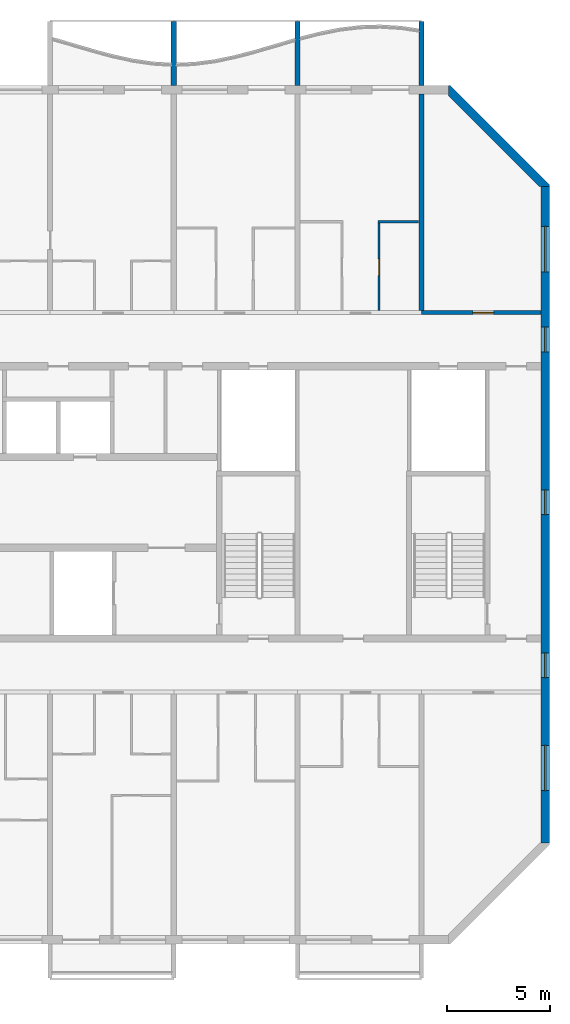
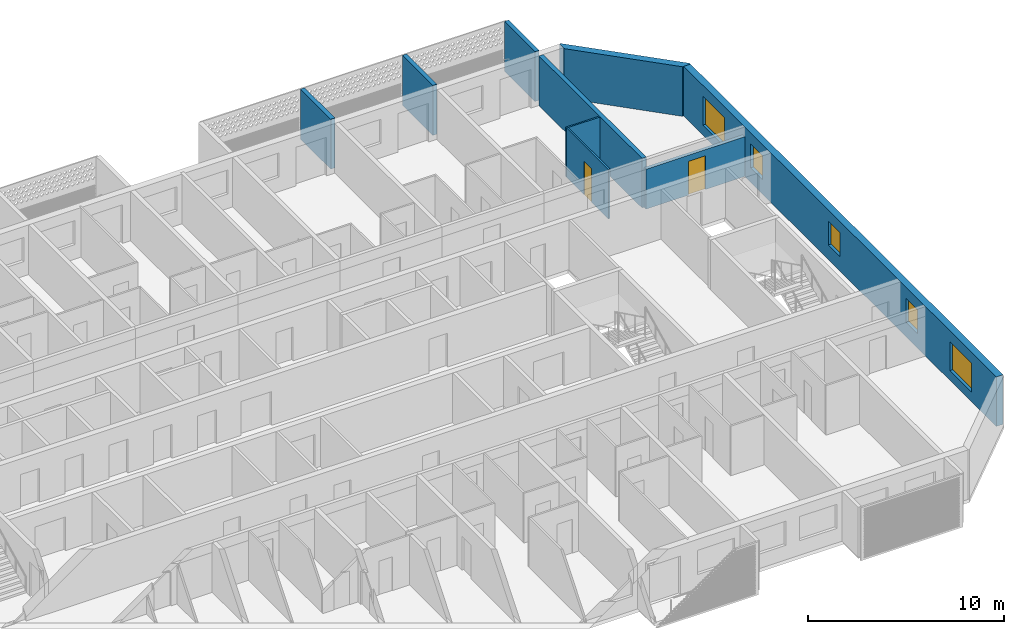
# One storey, part 11 of 26: 9 walls, 5 windows, 2 doors, 7 openings.
"""IFC4 building model written with IfcOpenShell, lengths in metres."""

from ifc_helpers import new_model, si_unit, direction, frame, frame_2d, origin, place, context, subcontext, project, spatial, polyline, rectangle, outline, extrude, source, transform, mapped, material, layer, layer_set, type_object, element, fill, save


model = new_model("IFC4")

# Units and contexts
model_context = context("Model", 3, precision=1e-05, world=origin(), true_north=direction((0.0, 1.0)))
body_context = subcontext(model_context, "Body", "Model", "MODEL_VIEW")
ifc_project = project(units=[si_unit("LENGTHUNIT", "METRE"), si_unit("AREAUNIT", "SQUARE_METRE"), si_unit("VOLUMEUNIT", "CUBIC_METRE"), si_unit("PLANEANGLEUNIT", "RADIAN"), si_unit("MASSUNIT", "GRAM", prefix="KILO")], contexts=[model_context])

# Site, building, storey
site_placement = place(None, origin())
site = spatial("IfcSite", under=ifc_project, at=site_placement, CompositionType="ELEMENT")
building_placement = place(site_placement, origin())
building = spatial("IfcBuilding", under=site, at=building_placement, Name="Poui Terraces", CompositionType="ELEMENT")
storey_placement = place(building_placement, frame((0.0, 0.0, 244.5)))
storey = spatial("IfcBuildingStorey", under=building, at=storey_placement, Name="L68", CompositionType="ELEMENT", Elevation=244.5)

# Wall, opening, door
ifc_material_1 = material(Name="Concrete 50 MPa", Category="concrete")
ifc_layer_1 = layer(ifc_material_1, 0.199951171875)
ifc_layer_set_1 = layer_set([ifc_layer_1], Name="Concrete 50 MPa")
wall_type_1 = type_object("IfcWallType", Name="CORRIDOR WALL 200 50MPa", PredefinedType="SHEAR", material=ifc_layer_set_1)
wall_1_placement = place(storey_placement, frame((78.0, 30.39990234375, 0.0), z_axis=(0.0, 0.0, 1.0), x_axis=(1.0, 0.0, 0.0)))
wall_1 = element("IfcWall", 1, at=wall_1_placement, inside=storey, type_object=wall_type_1, Name="CORRIDOR WALL LINE E BAY 11", PredefinedType="SHEAR", context=body_context, shape_type="SweptSolid", body=[
    extrude(rectangle(XDim=5.800048828125, YDim=0.199951171875, at=frame_2d((2.89990234375, 0.0))), origin(), (0.0, 0.0, 1.0), 2.47998046875),
])
opening_1_placement = place(wall_1_placement, frame((2.5, 0.0, 0.0)))
opening_1 = element("IfcOpeningElement", 2, at=opening_1_placement, cuts=wall_1, Name="Opening D100", PredefinedType="OPENING", context=body_context, shape_type="SweptSolid", body=[
    extrude(rectangle(XDim=1.0, YDim=2.10009765625, at=frame_2d((0.5, 1.050048828125))), frame((0.0, 0.10986328125, 0.0), z_axis=(0.0, -1.0, 0.0), x_axis=(1.0, 0.0, 0.0)), (0.0, 0.0, 1.0), 0.219970703125),
])
ifc_material_2 = material(Name="Solid core timber door", Category="wood")
door_type_1 = type_object("IfcDoorType", Name="ACCESSIBLE INTERNAL DOOR 1000 X 2100", OperationType="NOTDEFINED", PredefinedType="DOOR", material=ifc_material_2)
door_1_placement = place(opening_1_placement, origin())
door_1 = element("IfcDoor", 3, at=door_1_placement, inside=storey, type_object=door_type_1, Name="ACCESSIBLE INTERNAL DOOR 060", OperationType="SINGLE_SWING_LEFT", OverallHeight=2.10009765625, OverallWidth=1.0, PredefinedType="DOOR", context=body_context, shape_type="SweptSolid", body=[
    extrude(rectangle(XDim=1.0, YDim=2.10009765625, at=frame_2d((0.5, 1.050048828125))), frame((0.0, 0.02490234375, 0.0), z_axis=(0.0, -1.0, 0.0), x_axis=(1.0, 0.0, 0.0)), (0.0, 0.0, 1.0), 0.050048828125),
])
fill(opening_1, door_1)

# Wall
ifc_layer_2 = layer(ifc_material_1, 0.25)
ifc_layer_set_2 = layer_set([ifc_layer_2], Name="Concrete 50 MPa")
wall_type_2 = type_object("IfcWallType", Name="CROSS WALL 250 50MPa", PredefinedType="SHEAR", material=ifc_layer_set_2)
wall_2_placement = place(storey_placement, frame((78.0, 30.5, 0.0), z_axis=(0.0, 0.0, 1.0), x_axis=(0.0, 1.0, 0.0)))
element("IfcWall", 4, at=wall_2_placement, inside=storey, type_object=wall_type_2, Name="CROSS WALL LINE 14 NORTH", PredefinedType="SHEAR", context=body_context, shape_type="SweptSolid", body=[
    extrude(rectangle(XDim=10.5, YDim=0.25, at=frame_2d((5.25, 0.0))), origin(), (0.0, 0.0, 1.0), 3.080078125),
])

# Wall, openings, windows
ifc_layer_3 = layer(ifc_material_1, 0.39990234375)
ifc_layer_set_3 = layer_set([ifc_layer_3], Name="Concrete 50 MPa")
wall_type_3 = type_object("IfcWallType", Name="END WALL 400 50MPa", PredefinedType="SHEAR", material=ifc_layer_set_3)
wall_3_placement = place(storey_placement, frame((84.0, 4.682861328125, 0.0), z_axis=(0.0, 0.0, 1.0), x_axis=(0.0, 1.0, 0.0)))
wall_3 = element("IfcWall", 5, at=wall_3_placement, inside=storey, type_object=wall_type_3, Name="END WALL EAST", PredefinedType="SHEAR", context=body_context, shape_type="SweptSolid", body=[
    extrude(rectangle(XDim=31.834228515625, YDim=0.39990234375, at=frame_2d((15.9169921875, 0.0))), origin(), (0.0, 0.0, 1.0), 3.080078125),
])
opening_2_placement = place(wall_3_placement, frame((23.817138671875, 0.0, 0.89990234375)))
opening_2 = element("IfcOpeningElement", 6, at=opening_2_placement, cuts=wall_3, Name="Opening W2", PredefinedType="OPENING", context=body_context, shape_type="SweptSolid", body=[
    extrude(rectangle(XDim=1.199951171875, YDim=1.5, at=frame_2d((0.60009765625, 0.75))), frame((0.0, 0.2099609375, 0.0), z_axis=(0.0, -1.0, 0.0), x_axis=(1.0, 0.0, 0.0)), (0.0, 0.0, 1.0), 0.419921875),
])
opening_3_placement = place(wall_3_placement, frame((8.01708984375, 0.0, 0.89990234375)))
opening_3 = element("IfcOpeningElement", 7, at=opening_3_placement, cuts=wall_3, Name="Opening W2", PredefinedType="OPENING", context=body_context, shape_type="SweptSolid", body=[
    extrude(rectangle(XDim=1.199951171875, YDim=1.5, at=frame_2d((0.60009765625, 0.75))), frame((0.0, 0.2099609375, 0.0), z_axis=(0.0, -1.0, 0.0), x_axis=(1.0, 0.0, 0.0)), (0.0, 0.0, 1.0), 0.419921875),
])
opening_4_placement = place(wall_3_placement, frame((27.693603515625, 0.0, 0.60009765625)))
opening_4 = element("IfcOpeningElement", 8, at=opening_4_placement, cuts=wall_3, Name="Opening W3", PredefinedType="OPENING", context=body_context, shape_type="SweptSolid", body=[
    extrude(rectangle(XDim=2.199951171875, YDim=1.800048828125, at=frame_2d((1.10009765625, 0.89990234375))), frame((0.0, 0.2099609375, 0.0), z_axis=(0.0, -1.0, 0.0), x_axis=(1.0, 0.0, 0.0)), (0.0, 0.0, 1.0), 0.419921875),
])
opening_5_placement = place(wall_3_placement, frame((2.541015625, 0.0, 0.60009765625)))
opening_5 = element("IfcOpeningElement", 9, at=opening_5_placement, cuts=wall_3, Name="Opening W3", PredefinedType="OPENING", context=body_context, shape_type="SweptSolid", body=[
    extrude(rectangle(XDim=2.199951171875, YDim=1.800048828125, at=frame_2d((1.10009765625, 0.89990234375))), frame((0.0, 0.2099609375, 0.0), z_axis=(0.0, -1.0, 0.0), x_axis=(1.0, 0.0, 0.0)), (0.0, 0.0, 1.0), 0.419921875),
])
opening_6_placement = place(wall_3_placement, frame((15.917236328125, 0.0, 0.89990234375)))
opening_6 = element("IfcOpeningElement", 10, at=opening_6_placement, cuts=wall_3, Name="Opening W2", PredefinedType="OPENING", context=body_context, shape_type="SweptSolid", body=[
    extrude(rectangle(XDim=1.199951171875, YDim=1.5, at=frame_2d((0.60009765625, 0.75))), frame((0.0, 0.2099609375, 0.0), z_axis=(0.0, -1.0, 0.0), x_axis=(1.0, 0.0, 0.0)), (0.0, 0.0, 1.0), 0.419921875),
])
ifc_material_3 = material(Name="Clear glass in aluminium frame", Category="aluminium")
window_type_1 = type_object("IfcWindowType", Name="WINDOW 1200X1500", PartitioningType="SINGLE_PANEL", PredefinedType="WINDOW", material=ifc_material_3)
window_1_placement = place(opening_2_placement, origin())
window_1 = element("IfcWindow", 11, at=window_1_placement, inside=storey, type_object=window_type_1, Name="W2 WINDOW", OverallHeight=1.5, OverallWidth=1.199951171875, PartitioningType="SINGLE_PANEL", PredefinedType="WINDOW", context=body_context, shape_type="SweptSolid", body=[
    extrude(rectangle(XDim=1.199951171875, YDim=1.5, at=frame_2d((0.60009765625, 0.75))), frame((0.0, 0.030029296875, 0.0), z_axis=(0.0, -1.0, 0.0), x_axis=(1.0, 0.0, 0.0)), (0.0, 0.0, 1.0), 0.06005859375),
])
fill(opening_2, window_1)
window_2_placement = place(opening_3_placement, origin())
window_2 = element("IfcWindow", 12, at=window_2_placement, inside=storey, type_object=window_type_1, Name="W2 WINDOW", OverallHeight=1.5, OverallWidth=1.199951171875, PartitioningType="SINGLE_PANEL", PredefinedType="WINDOW", context=body_context, shape_type="SweptSolid", body=[
    extrude(rectangle(XDim=1.199951171875, YDim=1.5, at=frame_2d((0.60009765625, 0.75))), frame((0.0, 0.030029296875, 0.0), z_axis=(0.0, -1.0, 0.0), x_axis=(1.0, 0.0, 0.0)), (0.0, 0.0, 1.0), 0.06005859375),
])
fill(opening_3, window_2)
window_3_placement = place(opening_6_placement, origin())
window_3 = element("IfcWindow", 13, at=window_3_placement, inside=storey, type_object=window_type_1, Name="W2 WINDOW", OverallHeight=1.5, OverallWidth=1.199951171875, PartitioningType="SINGLE_PANEL", PredefinedType="WINDOW", context=body_context, shape_type="SweptSolid", body=[
    extrude(rectangle(XDim=1.199951171875, YDim=1.5, at=frame_2d((0.60009765625, 0.75))), frame((0.0, 0.030029296875, 0.0), z_axis=(0.0, -1.0, 0.0), x_axis=(1.0, 0.0, 0.0)), (0.0, 0.0, 1.0), 0.06005859375),
])
fill(opening_6, window_3)
window_type_2 = type_object("IfcWindowType", Name="WINDOW 2200X1800", PartitioningType="DOUBLE_PANEL_HORIZONTAL", PredefinedType="WINDOW", material=ifc_material_3)
window_4_placement = place(opening_4_placement, origin())
window_4 = element("IfcWindow", 14, at=window_4_placement, inside=storey, type_object=window_type_2, Name="W3 WINDOW", OverallHeight=1.800048828125, OverallWidth=2.199951171875, PartitioningType="DOUBLE_PANEL_HORIZONTAL", PredefinedType="WINDOW", context=body_context, shape_type="SweptSolid", body=[
    extrude(rectangle(XDim=2.199951171875, YDim=1.800048828125, at=frame_2d((1.10009765625, 0.89990234375))), frame((0.0, 0.030029296875, 0.0), z_axis=(0.0, -1.0, 0.0), x_axis=(1.0, 0.0, 0.0)), (0.0, 0.0, 1.0), 0.06005859375),
])
fill(opening_4, window_4)
window_5_placement = place(opening_5_placement, origin())
window_5 = element("IfcWindow", 15, at=window_5_placement, inside=storey, type_object=window_type_2, Name="W3 WINDOW", OverallHeight=1.800048828125, OverallWidth=2.199951171875, PartitioningType="DOUBLE_PANEL_HORIZONTAL", PredefinedType="WINDOW", context=body_context, shape_type="SweptSolid", body=[
    extrude(rectangle(XDim=2.199951171875, YDim=1.800048828125, at=frame_2d((1.10009765625, 0.89990234375))), frame((0.0, 0.030029296875, 0.0), z_axis=(0.0, -1.0, 0.0), x_axis=(1.0, 0.0, 0.0)), (0.0, 0.0, 1.0), 0.06005859375),
])
fill(opening_5, window_5)

# Wall
ifc_material_4 = material(Name="Plasterboard partition")
ifc_layer_4 = layer(ifc_material_4, 0.10009765625)
ifc_layer_set_4 = layer_set([ifc_layer_4], Name="Plasterboard partition")
wall_type_4 = type_object("IfcWallType", Name="FLAT PARTITION 100", PredefinedType="PARTITIONING", material=ifc_layer_set_4)
wall_4_placement = place(storey_placement, frame((75.89990234375, 34.800048828125, 0.0), z_axis=(0.0, 0.0, 1.0), x_axis=(1.0, 0.0, 0.0)))
element("IfcWall", 16, at=wall_4_placement, inside=storey, type_object=wall_type_4, Name="FLAT PARTITION 100", PredefinedType="PARTITIONING", context=body_context, shape_type="SweptSolid", body=[
    extrude(rectangle(XDim=1.965087890625, YDim=0.10009765625, at=frame_2d((0.982421875, 0.0))), origin(), (0.0, 0.0, 1.0), 3.080078125),
])

# Wall, opening, door
wall_5_placement = place(storey_placement, frame((75.949951171875, 30.510009765625, 0.0), z_axis=(0.0, 0.0, 1.0), x_axis=(0.0, 1.0, 0.0)))
wall_5 = element("IfcWall", 17, at=wall_5_placement, inside=storey, type_object=wall_type_4, Name="FLAT PARTITION 100", PredefinedType="PARTITIONING", context=body_context, shape_type="SweptSolid", body=[
    extrude(rectangle(XDim=4.239990234375, YDim=0.10009765625, at=frame_2d((2.1201171875, 0.0))), origin(), (0.0, 0.0, 1.0), 3.080078125),
])
opening_7_placement = place(wall_5_placement, frame((1.68994140625, 0.0, 0.0)))
opening_7 = element("IfcOpeningElement", 18, at=opening_7_placement, cuts=wall_5, Name="Opening D80", PredefinedType="OPENING", context=body_context, shape_type="SweptSolid", body=[
    extrude(rectangle(XDim=0.800048828125, YDim=2.10009765625, at=frame_2d((0.39990234375, 1.050048828125))), frame((0.0, 0.06005859375, 0.0), z_axis=(0.0, -1.0, 0.0), x_axis=(1.0, 0.0, 0.0)), (0.0, 0.0, 1.0), 0.1201171875),
])
door_type_2 = type_object("IfcDoorType", Name="BATHROOM, LAUNDRY AND STORE DOOR 800 X 2100", OperationType="NOTDEFINED", PredefinedType="DOOR", material=ifc_material_2)
door_2_placement = place(opening_7_placement, frame((0.800048828125, 0.0, 0.0), z_axis=(0.0, 0.0, 1.0), x_axis=(-1.0, 0.0, 0.0)))
door_2 = element("IfcDoor", 19, at=door_2_placement, inside=storey, type_object=door_type_2, Name="BATHROOM, LAUNDRY AND STORE DOOR 059", OperationType="SINGLE_SWING_RIGHT", OverallHeight=2.10009765625, OverallWidth=0.800048828125, PredefinedType="DOOR", context=body_context, shape_type="SweptSolid", body=[
    extrude(rectangle(XDim=0.800048828125, YDim=2.10009765625, at=frame_2d((0.39990234375, 1.050048828125))), frame((0.0, 0.02490234375, 0.0), z_axis=(0.0, -1.0, 0.0), x_axis=(1.0, 0.0, 0.0)), (0.0, 0.0, 1.0), 0.050048828125),
])
fill(opening_7, door_2)

# Walls
ifc_material_5 = material(Name="Precast concrete 40 MPa", Category="concrete")
ifc_layer_5 = layer(ifc_material_5, 0.39990234375)
ifc_layer_set_5 = layer_set([ifc_layer_5], Name="Precast concrete 40 MPa")
wall_type_5 = type_object("IfcWallType", Name="TERRACOTTA CLAD CHAMFER WALL 400", PredefinedType="STANDARD", material=ifc_layer_set_5)
wall_6_placement = place(storey_placement, origin())
element("IfcWall", 20, at=wall_6_placement, inside=storey, type_object=wall_type_5, Name="CHAMFER WALL CH03", PredefinedType="STANDARD", context=body_context, shape_type="SweptSolid", body=[
    extrude(outline(polyline([(84.199951171875, 36.51708984375), (84.199951171875, 36.60009765625), (79.39990234375, 41.39990234375), (79.317138671875, 41.39990234375), (79.317138671875, 40.917236328125), (83.71728515625, 36.51708984375), (84.199951171875, 36.51708984375)])), origin(), (0.0, 0.0, 1.0), 3.080078125),
])
ifc_layer_6 = layer(ifc_material_5, 0.25)
ifc_layer_set_6 = layer_set([ifc_layer_6], Name="Precast concrete 40 MPa")
wall_type_6 = type_object("IfcWallType", Name="BALCONY FIN 250", PredefinedType="STANDARD", material=ifc_layer_set_6)
shared_shape = source(origin(), body_context, "Body", "SweptSolid", [
    extrude(outline(polyline([(0.0, 0.0), (0.25, 0.0), (0.25, 3.10009765625), (0.0, 3.10009765625), (0.0, 0.0)])), origin(), (0.0, 0.0, 1.0), 3.10009765625),
])
for number, where, name in (
    (21, (65.875, 41.39990234375, 0.0), "BALCONY FIN"),
    (22, (71.875, 41.39990234375, 0.0), "BALCONY FIN"),
    (23, (77.875, 41.39990234375, 0.0), "BALCONY FIN"),
):
    element("IfcWall", number, at=place(storey_placement, frame(where)), inside=storey, type_object=wall_type_6, Name=name, PredefinedType="STANDARD", context=body_context, shape_type="MappedRepresentation", body=[
        mapped(shared_shape, transform((0.0, 0.0, 0.0))),
    ])

save(model, "model.ifc")
